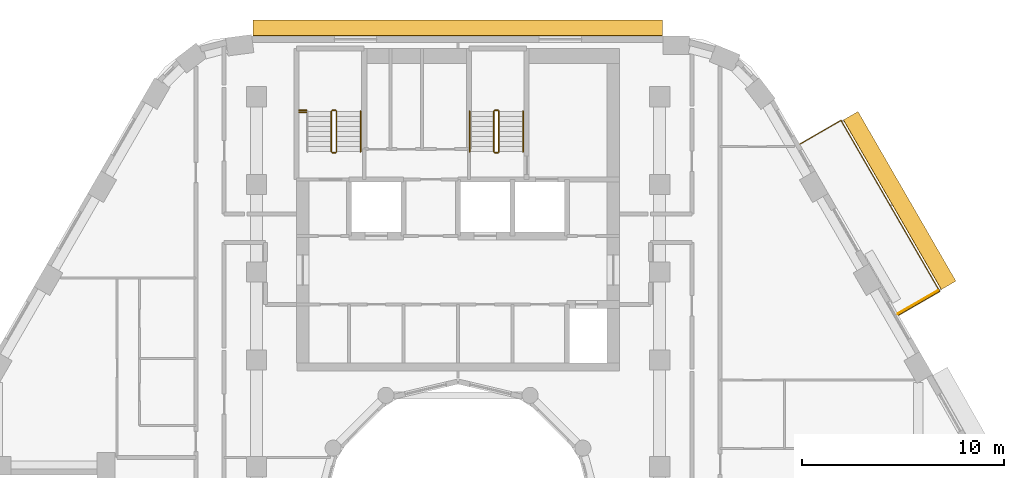
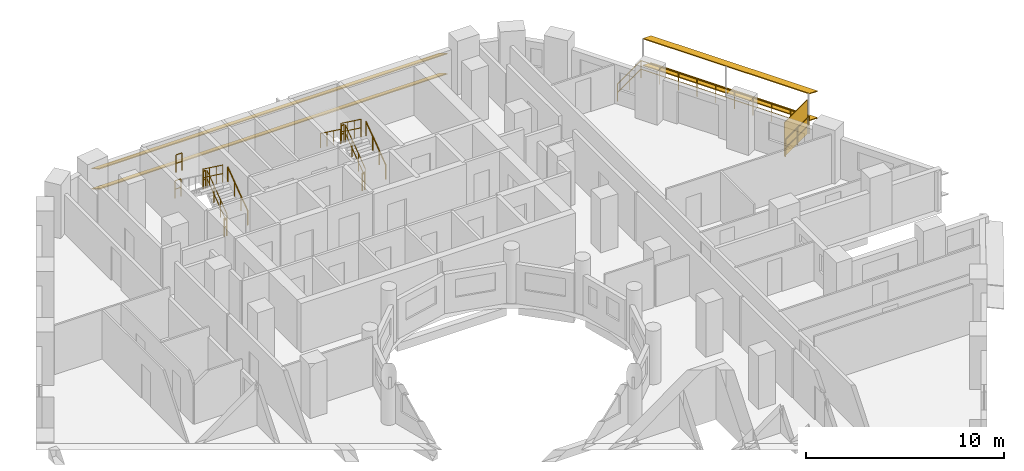
# One storey, part 14 of 14: 14 railings, 5 shading devices.
"""IFC4 building model written with IfcOpenShell, lengths in metres."""

from ifc_helpers import new_model, si_unit, direction, frame, origin, origin_2d, place, context, subcontext, project, spatial, rectangle, circle, extrude, material, layer, layer_set, material_profile, profile_set, type_object, element, save


model = new_model("IFC4")

# Units and contexts
model_context = context("Model", 3, precision=1e-05, world=origin(), true_north=direction((0.0, 1.0)))
body_context = subcontext(model_context, "Body", "Model", "MODEL_VIEW")
ifc_project = project(units=[si_unit("LENGTHUNIT", "METRE"), si_unit("AREAUNIT", "SQUARE_METRE"), si_unit("VOLUMEUNIT", "CUBIC_METRE"), si_unit("PLANEANGLEUNIT", "RADIAN"), si_unit("MASSUNIT", "GRAM", prefix="KILO")], contexts=[model_context])

# Site, building, storey
site_placement = place(None, origin())
site = spatial("IfcSite", under=ifc_project, at=site_placement, CompositionType="ELEMENT")
building_placement = place(site_placement, origin())
building = spatial("IfcBuilding", under=site, at=building_placement, Name="Nakaniwa Court", CompositionType="ELEMENT")
storey_placement = place(building_placement, frame((0.0, 0.0, 160.199951171875)))
storey = spatial("IfcBuildingStorey", under=building, at=storey_placement, Name="L42", CompositionType="ELEMENT", Elevation=160.199951171875)

# Railing
ifc_material_1 = material(Name="Black powder-coated steel flat bar balustrade S275", Category="steel")
railing_type_1 = type_object("IfcRailingType", Name="Black metal balcony guard 1100", PredefinedType="GUARDRAIL", material=ifc_material_1)
railing_1_placement = place(storey_placement, frame((101.84326171875, 90.16650390625, -0.050048828125)))
element("IfcRailing", 1, at=railing_1_placement, inside=storey, type_object=railing_type_1, Name="L42 balcony guard 01", PredefinedType="GUARDRAIL", context=body_context, shape_type="SweptSolid", body=[
    extrude(circle(Radius=0.02392578125, at=origin_2d()), frame((0.0, 0.0, 1.076171875), z_axis=(0.865980564943, 0.500077655111, 0.0), x_axis=(-0.500077655111, 0.865980564943, 0.0)), (0.0, 0.0, 1.0), 2.35986328125),
    extrude(circle(Radius=0.02392578125, at=origin_2d()), frame((0.0, 0.0, 0.550048828125), z_axis=(0.865980564943, 0.500077655111, 0.0), x_axis=(-0.500077655111, 0.865980564943, 0.0)), (0.0, 0.0, 1.0), 2.35986328125),
    extrude(circle(Radius=0.02392578125, at=origin_2d()), frame((2.043701171875, 1.18017578125, 1.076171875), z_axis=(-0.500011691413, 0.866018653639, 0.0), x_axis=(-0.866018653639, -0.500011691413, 0.0)), (0.0, 0.0, 1.0), 9.790771484375),
    extrude(circle(Radius=0.02392578125, at=origin_2d()), frame((2.043701171875, 1.18017578125, 0.550048828125), z_axis=(-0.500011691413, 0.866018653639, 0.0), x_axis=(-0.866018653639, -0.500011691413, 0.0)), (0.0, 0.0, 1.0), 9.790771484375),
    extrude(circle(Radius=0.02392578125, at=origin_2d()), frame((-2.851806640625, 9.6591796875, 1.076171875), z_axis=(-0.866025363618, -0.50000006957, 0.0), x_axis=(0.50000006957, -0.866025363618, 0.0)), (0.0, 0.0, 1.0), 2.35986328125),
    extrude(circle(Radius=0.02392578125, at=origin_2d()), frame((-2.851806640625, 9.6591796875, 0.550048828125), z_axis=(-0.866025363618, -0.50000006957, 0.0), x_axis=(0.50000006957, -0.866025363618, 0.0)), (0.0, 0.0, 1.0), 2.35986328125),
    extrude(circle(Radius=0.02099609375, at=origin_2d()), origin(), (0.0, 0.0, 1.0), 1.052001953125),
    extrude(circle(Radius=0.02099609375, at=origin_2d()), frame((1.02197265625, 0.590087890625, 0.0)), (0.0, 0.0, 1.0), 1.052001953125),
    extrude(circle(Radius=0.02099609375, at=origin_2d()), frame((2.043701171875, 1.18017578125, 0.0)), (0.0, 0.0, 1.0), 1.052001953125),
    extrude(circle(Radius=0.02099609375, at=origin_2d()), frame((1.499755859375, 2.122314453125, 0.0)), (0.0, 0.0, 1.0), 1.052001953125),
    extrude(circle(Radius=0.02099609375, at=origin_2d()), frame((0.955810546875, 3.064453125, 0.0)), (0.0, 0.0, 1.0), 1.052001953125),
    extrude(circle(Radius=0.02099609375, at=origin_2d()), frame((0.411865234375, 4.006591796875, 0.0)), (0.0, 0.0, 1.0), 1.052001953125),
    extrude(circle(Radius=0.02099609375, at=origin_2d()), frame((-0.132080078125, 4.94873046875, 0.0)), (0.0, 0.0, 1.0), 1.052001953125),
    extrude(circle(Radius=0.02099609375, at=origin_2d()), frame((-0.676025390625, 5.890625, 0.0)), (0.0, 0.0, 1.0), 1.052001953125),
    extrude(circle(Radius=0.02099609375, at=origin_2d()), frame((-1.219970703125, 6.832763671875, 0.0)), (0.0, 0.0, 1.0), 1.052001953125),
    extrude(circle(Radius=0.02099609375, at=origin_2d()), frame((-1.763916015625, 7.77490234375, 0.0)), (0.0, 0.0, 1.0), 1.052001953125),
    extrude(circle(Radius=0.02099609375, at=origin_2d()), frame((-2.307861328125, 8.717041015625, 0.0)), (0.0, 0.0, 1.0), 1.052001953125),
    extrude(circle(Radius=0.02099609375, at=origin_2d()), frame((-2.851806640625, 9.6591796875, 0.0)), (0.0, 0.0, 1.0), 1.052001953125),
    extrude(circle(Radius=0.02099609375, at=origin_2d()), frame((-3.87353515625, 9.0693359375, 0.0)), (0.0, 0.0, 1.0), 1.052001953125),
    extrude(circle(Radius=0.02099609375, at=origin_2d()), frame((-4.8955078125, 8.479248046875, 0.0)), (0.0, 0.0, 1.0), 1.052001953125),
])

# Shading devices
ifc_material_2 = material(Name="Black powder-coated aluminium slat screen", Category="aluminium")
ifc_layer = layer(ifc_material_2, 0.0400390625)
ifc_layer_set = layer_set([ifc_layer], Name="Black powder-coated aluminium slat screen")
shading_device_type_1 = type_object("IfcShadingDeviceType", Name="Koshi screen black metal", PredefinedType="USERDEFINED", material=ifc_layer_set)
shading_device_placement = place(storey_placement, frame((102.803466796875, 90.813232421875, -0.050048828125), z_axis=(0.0, 0.0, 1.0), x_axis=(-0.500004534492, 0.866022785779, 0.0)))
element("IfcShadingDevice", 2, at=shading_device_placement, inside=storey, type_object=shading_device_type_1, Name="L42 balcony SCREEN 01 W", ObjectType="KOSHI SCREEN", PredefinedType="USERDEFINED", context=body_context, shape_type="SweptSolid", body=[
    extrude(rectangle(XDim=0.0400390625, YDim=2.31005859375, at=origin_2d()), origin(), (0.0, 0.0, 1.0), 2.10009765625),
])
ifc_material_3 = material(Name="Perforated charcoal ceramic louvre blade")
ifc_material_profile = material_profile(ifc_material_3, rectangle(XDim=0.89990234375, YDim=0.050048828125, at=origin_2d()), Name="Perforated ceramic louvre blade")
ifc_profile_set = profile_set([ifc_material_profile], Name="Perforated charcoal ceramic louvre blade")
shading_device_type_2 = type_object("IfcShadingDeviceType", Name="Perforated ceramic louvre blade", PredefinedType="JALOUSIE", material=ifc_profile_set)
for number, where, z_axis, x_axis, name in (
    (3, (104.322021484375, 91.643798828125, 0.5), (-0.500019143301, 0.866014351113, 0.0), (-0.800092933854, -0.461957452359, 0.382683432365), "L42 perforated ceramic louvre blade 01 1"),
    (4, (104.322021484375, 91.643798828125, 2.150146484375), (-0.500019143301, 0.866014351113, 0.0), (-0.800092933854, -0.461957452359, 0.382683432365), "L42 perforated ceramic louvre blade 01 2"),
):
    element("IfcShadingDevice", number, at=place(storey_placement, frame(where, z_axis=z_axis, x_axis=x_axis)), inside=storey, type_object=shading_device_type_2, Name=name, PredefinedType="JALOUSIE", context=body_context, shape_type="SweptSolid", body=[
        extrude(rectangle(XDim=0.89990234375, YDim=0.050048828125, at=origin_2d()), origin(), (0.0, 0.0, 1.0), 9.7109375),
    ])
for number, where, z_axis, x_axis, name in (
    (5, (90.128662109375, 104.402099609375, 0.550048828125), (-1.0, 0.0, 0.0), (0.0, -0.866025403784, 0.5), "L42 perforated ceramic louvre blade w08 1"),
    (6, (90.128662109375, 104.402099609375, 1.79345703125), (-1.0, 0.0, 0.0), (0.0, -0.866025403784, 0.5), "L42 perforated ceramic louvre blade w08 2"),
):
    element("IfcShadingDevice", number, at=place(storey_placement, frame(where, z_axis=z_axis, x_axis=x_axis)), inside=storey, type_object=shading_device_type_2, Name=name, PredefinedType="JALOUSIE", context=body_context, shape_type="SweptSolid", body=[
        extrude(rectangle(XDim=0.89990234375, YDim=0.050048828125, at=origin_2d()), origin(), (0.0, 0.0, 1.0), 20.291259765625),
    ])

# Railings
ifc_material_4 = material(Name="Black powder coated steel guard", Category="steel")
railing_type_2 = type_object("IfcRailingType", Name="Stair guard 1100", PredefinedType="GUARDRAIL", material=ifc_material_4)
railing_2_placement = place(storey_placement, frame((73.97509765625, 98.27490234375, 0.183349609375)))
element("IfcRailing", 7, at=railing_2_placement, inside=storey, type_object=railing_type_2, Name="L42 ST1 stair guard 1", PredefinedType="GUARDRAIL", context=body_context, shape_type="SweptSolid", body=[
    extrude(circle(Radius=0.02392578125, at=origin_2d()), frame((0.0, 0.0, 1.076171875), z_axis=(0.0, 0.806379959628, 0.591397802423), x_axis=(-1.0, 0.0, 0.0)), (0.0, 0.0, 1.0), 2.480224609375),
    extrude(circle(Radius=0.02392578125, at=origin_2d()), frame((0.0, 0.0, 0.550048828125), z_axis=(0.0, 0.806379959628, 0.591397802423), x_axis=(-1.0, 0.0, 0.0)), (0.0, 0.0, 1.0), 2.480224609375),
    extrude(circle(Radius=0.02099609375, at=origin_2d()), origin(), (0.0, 0.0, 1.0), 1.052001953125),
    extrude(circle(Radius=0.02099609375, at=origin_2d()), frame((0.0, 0.666748046875, 0.489013671875)), (0.0, 0.0, 1.0), 1.052001953125),
    extrude(circle(Radius=0.02099609375, at=origin_2d()), frame((0.0, 1.333251953125, 0.977783203125)), (0.0, 0.0, 1.0), 1.052001953125),
    extrude(circle(Radius=0.02099609375, at=origin_2d()), frame((0.0, 2.0, 1.466796875)), (0.0, 0.0, 1.0), 1.052001953125),
])
railing_3_placement = place(storey_placement, frame((73.925048828125, 100.324951171875, 1.650146484375)))
element("IfcRailing", 8, at=railing_3_placement, inside=storey, type_object=railing_type_2, Name="L42 ST1 stair guard 2", PredefinedType="GUARDRAIL", context=body_context, shape_type="SweptSolid", body=[
    extrude(circle(Radius=0.02392578125, at=origin_2d()), frame((0.0, 0.0, 1.076171875), z_axis=(-1.0, 0.0, 0.0), x_axis=(0.0, -1.0, 0.0)), (0.0, 0.0, 1.0), 0.150146484375),
    extrude(circle(Radius=0.02392578125, at=origin_2d()), frame((0.0, 0.0, 0.550048828125), z_axis=(-1.0, 0.0, 0.0), x_axis=(0.0, -1.0, 0.0)), (0.0, 0.0, 1.0), 0.150146484375),
    extrude(circle(Radius=0.02099609375, at=origin_2d()), origin(), (0.0, 0.0, 1.0), 1.052001953125),
    extrude(circle(Radius=0.02099609375, at=origin_2d()), frame((-0.150146484375, 0.0, 0.0)), (0.0, 0.0, 1.0), 1.052001953125),
])
railing_4_placement = place(storey_placement, frame((73.72509765625, 100.27490234375, 1.83349609375)))
element("IfcRailing", 9, at=railing_4_placement, inside=storey, type_object=railing_type_2, Name="L42 ST1 stair guard 3", PredefinedType="GUARDRAIL", context=body_context, shape_type="SweptSolid", body=[
    extrude(circle(Radius=0.02392578125, at=origin_2d()), frame((0.0, 0.0, 1.076171875), z_axis=(0.0, -0.806426902644, 0.591333789573), x_axis=(1.0, 0.0, 0.0)), (0.0, 0.0, 1.0), 2.47998046875),
    extrude(circle(Radius=0.02392578125, at=origin_2d()), frame((0.0, 0.0, 0.550048828125), z_axis=(0.0, -0.806426902644, 0.591333789573), x_axis=(1.0, 0.0, 0.0)), (0.0, 0.0, 1.0), 2.47998046875),
    extrude(circle(Radius=0.02099609375, at=origin_2d()), origin(), (0.0, 0.0, 1.0), 1.052001953125),
    extrude(circle(Radius=0.02099609375, at=origin_2d()), frame((0.0, -0.666748046875, 0.48876953125)), (0.0, 0.0, 1.0), 1.052001953125),
    extrude(circle(Radius=0.02099609375, at=origin_2d()), frame((0.0, -1.333251953125, 0.977783203125)), (0.0, 0.0, 1.0), 1.052001953125),
    extrude(circle(Radius=0.02099609375, at=origin_2d()), frame((0.0, -2.0, 1.466552734375)), (0.0, 0.0, 1.0), 1.052001953125),
])
railing_5_placement = place(storey_placement, frame((73.925048828125, 98.22509765625, 0.0)))
element("IfcRailing", 10, at=railing_5_placement, inside=storey, type_object=railing_type_2, Name="L42 ST1 stair guard 4", PredefinedType="GUARDRAIL", context=body_context, shape_type="SweptSolid", body=[
    extrude(circle(Radius=0.02392578125, at=origin_2d()), frame((0.0, 0.0, 1.076171875), z_axis=(-1.0, 0.0, 0.0), x_axis=(0.0, -1.0, 0.0)), (0.0, 0.0, 1.0), 0.150146484375),
    extrude(circle(Radius=0.02392578125, at=origin_2d()), frame((0.0, 0.0, 0.550048828125), z_axis=(-1.0, 0.0, 0.0), x_axis=(0.0, -1.0, 0.0)), (0.0, 0.0, 1.0), 0.150146484375),
    extrude(circle(Radius=0.02099609375, at=origin_2d()), origin(), (0.0, 0.0, 1.0), 1.052001953125),
    extrude(circle(Radius=0.02099609375, at=origin_2d()), frame((-0.150146484375, 0.0, 0.0)), (0.0, 0.0, 1.0), 1.052001953125),
])
for number, where, name in (
    (11, (72.125, 100.324951171875, 1.650146484375), "L42 ST1 landing side guard 1W"),
    (12, (72.125, 100.22509765625, 3.300048828125), "L42 ST1 floor edge guard 1W"),
):
    element("IfcRailing", number, at=place(storey_placement, frame(where)), inside=storey, type_object=railing_type_2, Name=name, PredefinedType="GUARDRAIL", context=body_context, shape_type="SweptSolid", body=[
        extrude(circle(Radius=0.02392578125, at=origin_2d()), frame((0.0, 0.0, 1.076171875), z_axis=(1.0, 0.0, 0.0), x_axis=(0.0, 1.0, 0.0)), (0.0, 0.0, 1.0), 0.35009765625),
        extrude(circle(Radius=0.02392578125, at=origin_2d()), frame((0.0, 0.0, 0.550048828125), z_axis=(1.0, 0.0, 0.0), x_axis=(0.0, 1.0, 0.0)), (0.0, 0.0, 1.0), 0.35009765625),
        extrude(circle(Radius=0.02099609375, at=origin_2d()), origin(), (0.0, 0.0, 1.0), 1.052001953125),
        extrude(circle(Radius=0.02099609375, at=origin_2d()), frame((0.35009765625, 0.0, 0.0)), (0.0, 0.0, 1.0), 1.052001953125),
    ])
railing_6_placement = place(storey_placement, frame((82.02490234375, 98.27490234375, 0.183349609375)))
element("IfcRailing", 13, at=railing_6_placement, inside=storey, type_object=railing_type_2, Name="L42 ST2 stair guard 1", PredefinedType="GUARDRAIL", context=body_context, shape_type="SweptSolid", body=[
    extrude(circle(Radius=0.02392578125, at=origin_2d()), frame((0.0, 0.0, 1.076171875), z_axis=(0.0, 0.806379959628, 0.591397802423), x_axis=(-1.0, 0.0, 0.0)), (0.0, 0.0, 1.0), 2.480224609375),
    extrude(circle(Radius=0.02392578125, at=origin_2d()), frame((0.0, 0.0, 0.550048828125), z_axis=(0.0, 0.806379959628, 0.591397802423), x_axis=(-1.0, 0.0, 0.0)), (0.0, 0.0, 1.0), 2.480224609375),
    extrude(circle(Radius=0.02099609375, at=origin_2d()), origin(), (0.0, 0.0, 1.0), 1.052001953125),
    extrude(circle(Radius=0.02099609375, at=origin_2d()), frame((0.0, 0.666748046875, 0.489013671875)), (0.0, 0.0, 1.0), 1.052001953125),
    extrude(circle(Radius=0.02099609375, at=origin_2d()), frame((0.0, 1.333251953125, 0.977783203125)), (0.0, 0.0, 1.0), 1.052001953125),
    extrude(circle(Radius=0.02099609375, at=origin_2d()), frame((0.0, 2.0, 1.466796875)), (0.0, 0.0, 1.0), 1.052001953125),
])
railing_7_placement = place(storey_placement, frame((81.97509765625, 100.324951171875, 1.650146484375)))
element("IfcRailing", 14, at=railing_7_placement, inside=storey, type_object=railing_type_2, Name="L42 ST2 stair guard 2", PredefinedType="GUARDRAIL", context=body_context, shape_type="SweptSolid", body=[
    extrude(circle(Radius=0.02392578125, at=origin_2d()), frame((0.0, 0.0, 1.076171875), z_axis=(-1.0, 0.0, 0.0), x_axis=(0.0, -1.0, 0.0)), (0.0, 0.0, 1.0), 0.150146484375),
    extrude(circle(Radius=0.02392578125, at=origin_2d()), frame((0.0, 0.0, 0.550048828125), z_axis=(-1.0, 0.0, 0.0), x_axis=(0.0, -1.0, 0.0)), (0.0, 0.0, 1.0), 0.150146484375),
    extrude(circle(Radius=0.02099609375, at=origin_2d()), origin(), (0.0, 0.0, 1.0), 1.052001953125),
    extrude(circle(Radius=0.02099609375, at=origin_2d()), frame((-0.150146484375, 0.0, 0.0)), (0.0, 0.0, 1.0), 1.052001953125),
])
railing_8_placement = place(storey_placement, frame((81.77490234375, 100.27490234375, 1.83349609375)))
element("IfcRailing", 15, at=railing_8_placement, inside=storey, type_object=railing_type_2, Name="L42 ST2 stair guard 3", PredefinedType="GUARDRAIL", context=body_context, shape_type="SweptSolid", body=[
    extrude(circle(Radius=0.02392578125, at=origin_2d()), frame((0.0, 0.0, 1.076171875), z_axis=(0.0, -0.806426902644, 0.591333789573), x_axis=(1.0, 0.0, 0.0)), (0.0, 0.0, 1.0), 2.47998046875),
    extrude(circle(Radius=0.02392578125, at=origin_2d()), frame((0.0, 0.0, 0.550048828125), z_axis=(0.0, -0.806426902644, 0.591333789573), x_axis=(1.0, 0.0, 0.0)), (0.0, 0.0, 1.0), 2.47998046875),
    extrude(circle(Radius=0.02099609375, at=origin_2d()), origin(), (0.0, 0.0, 1.0), 1.052001953125),
    extrude(circle(Radius=0.02099609375, at=origin_2d()), frame((0.0, -0.666748046875, 0.48876953125)), (0.0, 0.0, 1.0), 1.052001953125),
    extrude(circle(Radius=0.02099609375, at=origin_2d()), frame((0.0, -1.333251953125, 0.977783203125)), (0.0, 0.0, 1.0), 1.052001953125),
    extrude(circle(Radius=0.02099609375, at=origin_2d()), frame((0.0, -2.0, 1.466552734375)), (0.0, 0.0, 1.0), 1.052001953125),
])
railing_9_placement = place(storey_placement, frame((81.97509765625, 98.22509765625, 0.0)))
element("IfcRailing", 16, at=railing_9_placement, inside=storey, type_object=railing_type_2, Name="L42 ST2 stair guard 4", PredefinedType="GUARDRAIL", context=body_context, shape_type="SweptSolid", body=[
    extrude(circle(Radius=0.02392578125, at=origin_2d()), frame((0.0, 0.0, 1.076171875), z_axis=(-1.0, 0.0, 0.0), x_axis=(0.0, -1.0, 0.0)), (0.0, 0.0, 1.0), 0.150146484375),
    extrude(circle(Radius=0.02392578125, at=origin_2d()), frame((0.0, 0.0, 0.550048828125), z_axis=(-1.0, 0.0, 0.0), x_axis=(0.0, -1.0, 0.0)), (0.0, 0.0, 1.0), 0.150146484375),
    extrude(circle(Radius=0.02099609375, at=origin_2d()), origin(), (0.0, 0.0, 1.0), 1.052001953125),
    extrude(circle(Radius=0.02099609375, at=origin_2d()), frame((-0.150146484375, 0.0, 0.0)), (0.0, 0.0, 1.0), 1.052001953125),
])
ifc_material_5 = material(Name="Black powder coated steel handrail", Category="steel")
railing_type_3 = type_object("IfcRailingType", Name="Stair handrail 900", PredefinedType="HANDRAIL", material=ifc_material_5)
for number, where, name in (
    (17, (75.175048828125, 98.27490234375, 0.183349609375), "L42 ST1 stair handrail 1"),
    (18, (83.22509765625, 98.27490234375, 0.183349609375), "L42 ST2 stair handrail 1"),
):
    element("IfcRailing", number, at=place(storey_placement, frame(where)), inside=storey, type_object=railing_type_3, Name=name, PredefinedType="HANDRAIL", context=body_context, shape_type="SweptSolid", body=[
        extrude(circle(Radius=0.02392578125, at=origin_2d()), frame((0.0, 0.0, 0.8759765625), z_axis=(0.0, 0.806379959628, 0.591397802423), x_axis=(-1.0, 0.0, 0.0)), (0.0, 0.0, 1.0), 2.480224609375),
        extrude(circle(Radius=0.02099609375, at=origin_2d()), origin(), (0.0, 0.0, 1.0), 0.851806640625),
        extrude(circle(Radius=0.02099609375, at=origin_2d()), frame((0.0, 0.666748046875, 0.489013671875)), (0.0, 0.0, 1.0), 0.851806640625),
        extrude(circle(Radius=0.02099609375, at=origin_2d()), frame((0.0, 1.333251953125, 0.977783203125)), (0.0, 0.0, 1.0), 0.851806640625),
        extrude(circle(Radius=0.02099609375, at=origin_2d()), frame((0.0, 2.0, 1.466796875)), (0.0, 0.0, 1.0), 0.851806640625),
    ])
railing_10_placement = place(storey_placement, frame((80.574951171875, 100.27490234375, 1.83349609375)))
element("IfcRailing", 19, at=railing_10_placement, inside=storey, type_object=railing_type_3, Name="L42 ST2 stair handrail 2", PredefinedType="HANDRAIL", context=body_context, shape_type="SweptSolid", body=[
    extrude(circle(Radius=0.02392578125, at=origin_2d()), frame((0.0, 0.0, 0.8759765625), z_axis=(0.0, -0.806426902644, 0.591333789573), x_axis=(1.0, 0.0, 0.0)), (0.0, 0.0, 1.0), 2.47998046875),
    extrude(circle(Radius=0.02099609375, at=origin_2d()), origin(), (0.0, 0.0, 1.0), 0.851806640625),
    extrude(circle(Radius=0.02099609375, at=origin_2d()), frame((0.0, -0.666748046875, 0.48876953125)), (0.0, 0.0, 1.0), 0.851806640625),
    extrude(circle(Radius=0.02099609375, at=origin_2d()), frame((0.0, -1.333251953125, 0.977783203125)), (0.0, 0.0, 1.0), 0.851806640625),
    extrude(circle(Radius=0.02099609375, at=origin_2d()), frame((0.0, -2.0, 1.466552734375)), (0.0, 0.0, 1.0), 0.851806640625),
])

save(model, "model.ifc")
